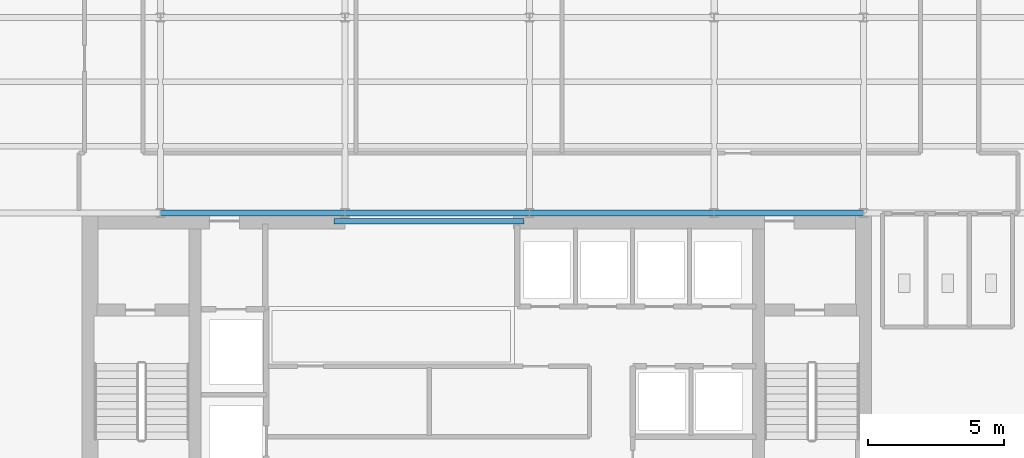
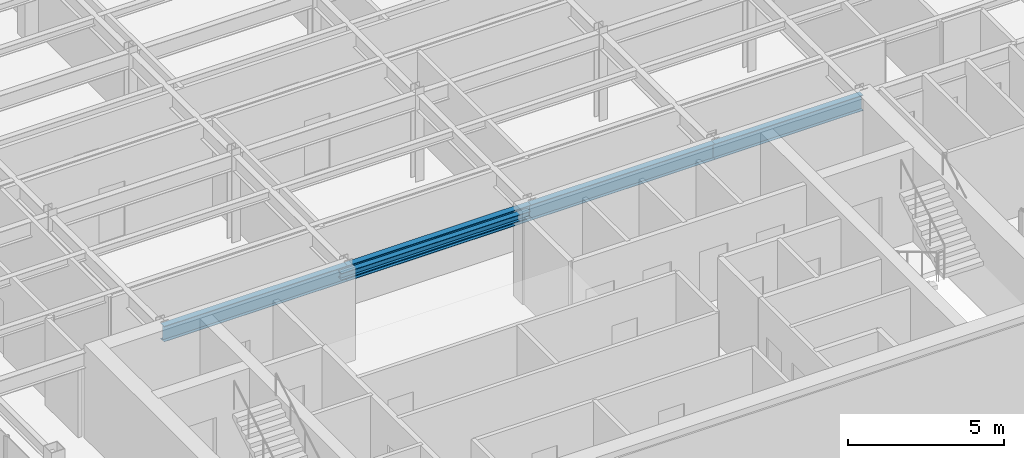
# One storey, part 4 of 22: 5 beams.
"""IFC4 building model written with IfcOpenShell, lengths in metres."""

from ifc_helpers import new_model, si_unit, derived_unit, direction, frame, origin, origin_2d, place, context, subcontext, project, spatial, i_section, extrude, source, transform, mapped, material, material_profile, profile_set, type_object, element, save


model = new_model("IFC4")

# Units and contexts
model_context = context("Model", 3, precision=1e-05, world=origin(), true_north=direction((0.0, 1.0)))
body_context = subcontext(model_context, "Body", "Model", "MODEL_VIEW")
ifc_project = project(units=[si_unit("LENGTHUNIT", "METRE"), si_unit("AREAUNIT", "SQUARE_METRE"), si_unit("VOLUMEUNIT", "CUBIC_METRE"), si_unit("PLANEANGLEUNIT", "RADIAN"), si_unit("MASSUNIT", "GRAM", prefix="KILO"), derived_unit("THERMALTRANSMITTANCEUNIT", [(si_unit("POWERUNIT", "WATT"), 1), (si_unit("LENGTHUNIT", "METRE"), -2), (si_unit("THERMODYNAMICTEMPERATUREUNIT", "KELVIN"), -1)])], contexts=[model_context])

# Site, building, storey
site_placement = place(None, origin())
site = spatial("IfcSite", under=ifc_project, at=site_placement, CompositionType="ELEMENT")
building_placement = place(site_placement, origin())
building = spatial("IfcBuilding", under=site, at=building_placement, Name="Skarnbrae Concourse Arena and Tower", CompositionType="ELEMENT")
storey_placement = place(building_placement, frame((0.0, 0.0, 251.5)))
storey = spatial("IfcBuildingStorey", under=building, at=storey_placement, Name="L65", CompositionType="ELEMENT", Elevation=251.5)

# Beams
ifc_material = material(Name="Steel CSA G40.21 350W", Category="steel")
ifc_material_profile_1 = material_profile(ifc_material, i_section(OverallWidth=0.202880859375, OverallDepth=0.251953125, WebThickness=0.008056640625, FlangeThickness=0.013427734375, at=origin_2d()), Name="W250X58")
ifc_profile_set_1 = profile_set([ifc_material_profile_1], Name="Steel CSA G40.21 350W")
beam_type_1 = type_object("IfcBeamType", Name="BM-LINTEL-W250X58", PredefinedType="LINTEL", material=ifc_profile_set_1)
shared_shape_1 = source(origin(), body_context, "Body", "SweptSolid", [
    extrude(i_section(OverallWidth=0.202880859375, OverallDepth=0.251953125, WebThickness=0.008056640625, FlangeThickness=0.013427734375, at=origin_2d()), origin(), (0.0, 0.0, 1.0), 7.0),
])
beam_1_placement = place(storey_placement, frame((14.0, 13.699951171875, 3.27392578125), z_axis=(1.0, 0.0, 0.0), x_axis=(0.0, 1.0, 0.0)))
element("IfcBeam", 1, at=beam_1_placement, inside=storey, type_object=beam_type_1, Name="L65 Core portal coupling lintel", PredefinedType="LINTEL", context=body_context, shape_type="MappedRepresentation", body=[
    mapped(shared_shape_1, transform((0.0, 0.0, 0.0))),
])
ifc_material_profile_2 = material_profile(ifc_material, i_section(OverallWidth=0.22802734375, OverallDepth=0.60791015625, WebThickness=0.01123046875, FlangeThickness=0.017333984375, at=origin_2d()), Name="W610X113")
ifc_profile_set_2 = profile_set([ifc_material_profile_2], Name="Steel CSA G40.21 350W")
beam_type_2 = type_object("IfcBeamType", Name="BM-GIRD-W610X113", PredefinedType="BEAM", material=ifc_profile_set_2)
shared_shape_2 = source(origin(), body_context, "Body", "SweptSolid", [
    extrude(i_section(OverallWidth=0.22802734375, OverallDepth=0.60791015625, WebThickness=0.01123046875, FlangeThickness=0.017333984375, at=origin_2d()), origin(), (0.0, 0.0, 1.0), 6.7998046875),
])
beam_2_placement = place(storey_placement, frame((7.60009765625, 14.0, 3.095947265625), z_axis=(1.0, 0.0, 0.0), x_axis=(0.0, 1.0, 0.0)))
element("IfcBeam", 2, at=beam_2_placement, inside=storey, type_object=beam_type_2, Name="L65 Primary E-W girder Y14.0-2", PredefinedType="BEAM", context=body_context, shape_type="MappedRepresentation", body=[
    mapped(shared_shape_2, transform((0.0, 0.0, 0.0))),
])
shared_shape_3 = source(origin(), body_context, "Body", "SweptSolid", [
    extrude(i_section(OverallWidth=0.22802734375, OverallDepth=0.60791015625, WebThickness=0.01123046875, FlangeThickness=0.017333984375, at=origin_2d()), origin(), (0.0, 0.0, 1.0), 6.800048828125),
])
for number, where, z_axis, x_axis, name in (
    (3, (14.39990234375, 14.0, 3.095947265625), (1.0, 0.0, 0.0), (0.0, 1.0, 0.0), "L65 Primary E-W girder Y14.0-3"),
    (4, (21.199951171875, 14.0, 3.095947265625), (1.0, 0.0, 0.0), (0.0, 1.0, 0.0), "L65 Primary E-W girder Y14.0-4"),
):
    element("IfcBeam", number, at=place(storey_placement, frame(where, z_axis=z_axis, x_axis=x_axis)), inside=storey, type_object=beam_type_2, Name=name, PredefinedType="BEAM", context=body_context, shape_type="MappedRepresentation", body=[
        mapped(shared_shape_3, transform((0.0, 0.0, 0.0))),
    ])
shared_shape_4 = source(origin(), body_context, "Body", "SweptSolid", [
    extrude(i_section(OverallWidth=0.22802734375, OverallDepth=0.60791015625, WebThickness=0.01123046875, FlangeThickness=0.017333984375, at=origin_2d()), origin(), (0.0, 0.0, 1.0), 5.5),
])
beam_3_placement = place(storey_placement, frame((28.0, 14.0, 3.095947265625), z_axis=(1.0, 0.0, 0.0), x_axis=(0.0, 1.0, 0.0)))
element("IfcBeam", 5, at=beam_3_placement, inside=storey, type_object=beam_type_2, Name="L65 Primary E-W girder Y14.0-5", PredefinedType="BEAM", context=body_context, shape_type="MappedRepresentation", body=[
    mapped(shared_shape_4, transform((0.0, 0.0, 0.0))),
])

save(model, "model.ifc")
